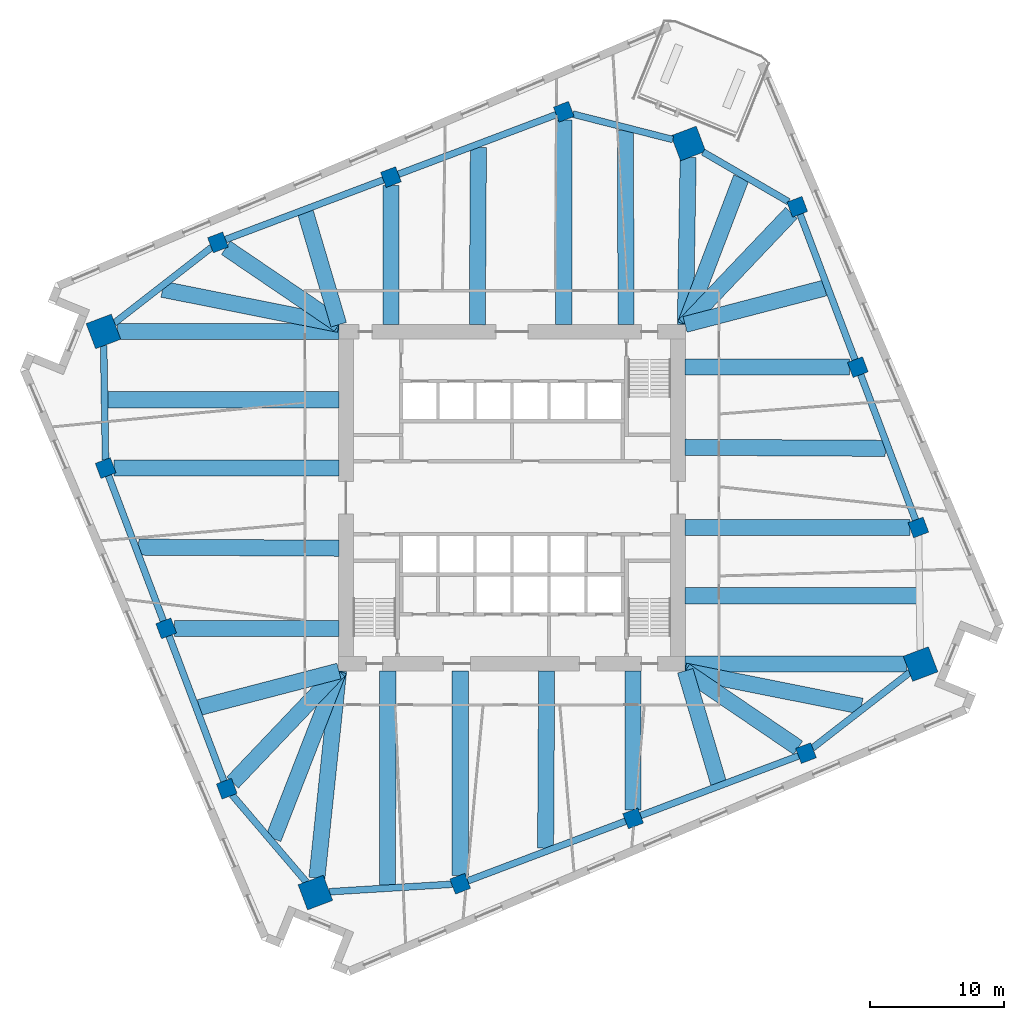
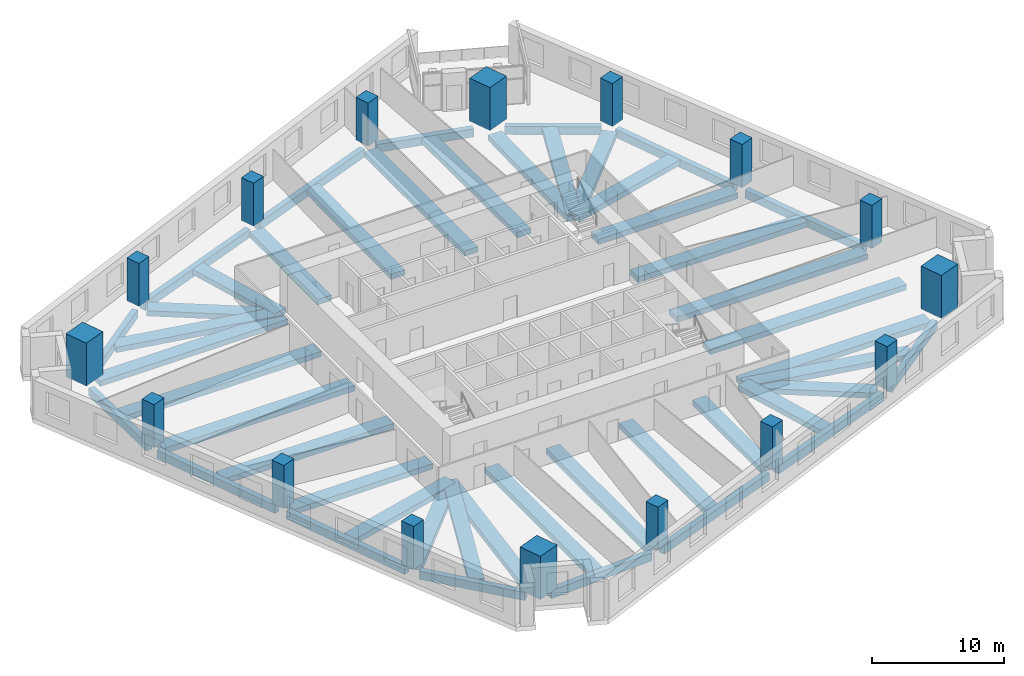
# One storey, part 1 of 12: 47 beams, 16 columns.
"""IFC4 building model written with IfcOpenShell, lengths in metres."""

from ifc_helpers import new_model, si_unit, direction, frame, origin, origin_2d, place, context, subcontext, project, spatial, rectangle, extrude, material, material_profile, profile_set, type_object, element, save


model = new_model("IFC4")

# Units and contexts
model_context = context("Model", 3, precision=1e-05, world=origin(), true_north=direction((0.0, 1.0)))
body_context = subcontext(model_context, "Body", "Model", "MODEL_VIEW")
ifc_project = project(units=[si_unit("LENGTHUNIT", "METRE"), si_unit("AREAUNIT", "SQUARE_METRE"), si_unit("VOLUMEUNIT", "CUBIC_METRE"), si_unit("PLANEANGLEUNIT", "RADIAN"), si_unit("MASSUNIT", "GRAM", prefix="KILO")], contexts=[model_context])

# Site, building, storey
site_placement = place(None, origin())
site = spatial("IfcSite", under=ifc_project, at=site_placement, CompositionType="ELEMENT")
building_placement = place(site_placement, origin())
building = spatial("IfcBuilding", under=site, at=building_placement, Name="Dilmun Exchange Tower", CompositionType="ELEMENT")
storey_placement = place(building_placement, frame((0.0, 0.0, 114.10009765625)))
storey = spatial("IfcBuildingStorey", under=building, at=storey_placement, Name="L26", CompositionType="ELEMENT", Elevation=114.10009765625)

# Columns
ifc_material_1 = material(Name="Concrete C70/85", Category="concrete")
ifc_material_profile_1 = material_profile(ifc_material_1, rectangle(XDim=2.0, YDim=2.0, at=origin_2d()), Name="2000 x 2000")
ifc_profile_set_1 = profile_set([ifc_material_profile_1], Name="Concrete C70/85")
column_type_1 = type_object("IfcColumnType", Name="RC mega column 2000 x 2000 C70/85", PredefinedType="COLUMN", material=ifc_profile_set_1)
for number, where, z_axis, x_axis, name in (
    (1, (13.1220703125, 26.35400390625, 0.0), (0.0, 0.0, 1.0), (0.935491525991, 0.353349125935, 0.0), "Mega column M1"),
    (2, (-30.39404296875, 12.37109375, 0.0), (0.0, 0.0, 1.0), (0.935491525991, 0.353349125935, 0.0), "Mega column M2"),
    (3, (-14.6259765625, -29.3759765625, 0.0), (0.0, 0.0, 1.0), (0.935491525991, 0.353349125935, 0.0), "Mega column M3"),
    (4, (30.39404296875, -12.37109375, 0.0), (0.0, 0.0, 1.0), (0.935491525991, 0.353349125935, 0.0), "Mega column M4"),
):
    element("IfcColumn", number, at=place(storey_placement, frame(where, z_axis=z_axis, x_axis=x_axis)), inside=storey, type_object=column_type_1, Name=name, PredefinedType="COLUMN", context=body_context, shape_type="SweptSolid", body=[
        extrude(rectangle(XDim=2.0, YDim=2.0, at=origin_2d()), origin(), (0.0, 0.0, 1.0), 4.0),
    ])
ifc_material_profile_2 = material_profile(ifc_material_1, rectangle(XDim=1.199951171875, YDim=1.199951171875, at=origin_2d()), Name="1200 x 1200")
ifc_profile_set_2 = profile_set([ifc_material_profile_2], Name="Concrete C70/85")
column_type_2 = type_object("IfcColumnType", Name="RC ring column 1200 x 1200 C70/85", PredefinedType="COLUMN", material=ifc_profile_set_2)
for number, where, z_axis, x_axis, name in (
    (5, (3.85302734375, 28.714111328125, 0.0), (0.0, 0.0, 1.0), (0.935491525991, 0.353349125935, 0.0), "Ring column R01"),
    (6, (-9.010009765625, 23.85498046875, 0.0), (0.0, 0.0, 1.0), (0.935491525991, 0.353349125935, 0.0), "Ring column R02"),
    (7, (-21.873046875, 18.99609375, 0.0), (0.0, 0.0, 1.0), (0.935491525991, 0.353349125935, 0.0), "Ring column R03"),
    (8, (-30.23095703125, 2.2099609375, 0.0), (0.0, 0.0, 1.0), (0.935491525991, 0.353349125935, 0.0), "Ring column R04"),
    (9, (-25.72607421875, -9.717041015625, 0.0), (0.0, 0.0, 1.0), (0.935491525991, 0.353349125935, 0.0), "Ring column R05"),
    (10, (-21.220947265625, -21.64501953125, 0.0), (0.0, 0.0, 1.0), (0.935491525991, 0.353349125935, 0.0), "Ring column R06"),
    (11, (-3.85302734375, -28.714111328125, 0.0), (0.0, 0.0, 1.0), (0.935491525991, 0.353349125935, 0.0), "Ring column R07"),
    (12, (9.010009765625, -23.85498046875, 0.0), (0.0, 0.0, 1.0), (0.935491525991, 0.353349125935, 0.0), "Ring column R08"),
    (13, (21.873046875, -18.99609375, 0.0), (0.0, 0.0, 1.0), (0.935491525991, 0.353349125935, 0.0), "Ring column R09"),
    (14, (30.23095703125, -2.2099609375, 0.0), (0.0, 0.0, 1.0), (0.935491525991, 0.353349125935, 0.0), "Ring column R10"),
    (15, (25.72607421875, 9.717041015625, 0.0), (0.0, 0.0, 1.0), (0.935491525991, 0.353349125935, 0.0), "Ring column R11"),
    (16, (21.220947265625, 21.64501953125, 0.0), (0.0, 0.0, 1.0), (0.935491525991, 0.353349125935, 0.0), "Ring column R12"),
):
    element("IfcColumn", number, at=place(storey_placement, frame(where, z_axis=z_axis, x_axis=x_axis)), inside=storey, type_object=column_type_2, Name=name, PredefinedType="COLUMN", context=body_context, shape_type="SweptSolid", body=[
        extrude(rectangle(XDim=1.199951171875, YDim=1.199951171875, at=origin_2d()), origin(), (0.0, 0.0, 1.0), 4.0),
    ])

# Beams
ifc_material_2 = material(Name="Concrete C40/50", Category="concrete")
ifc_material_profile_3 = material_profile(ifc_material_2, rectangle(XDim=1.199951171875, YDim=0.5, at=origin_2d()), Name="1200 x 500")
ifc_profile_set_3 = profile_set([ifc_material_profile_3], Name="Concrete C40/50")
beam_type_1 = type_object("IfcBeamType", Name="RC band beam 1200 x 500 C40/50", PredefinedType="BEAM", material=ifc_profile_set_3)
beam_1_placement = place(storey_placement, frame((13.104736328125, 25.305419921875, -0.77001953125), z_axis=(-0.016493249431, -0.99986397711, 0.0), x_axis=(0.99986397711, -0.016493249431, 0.0)))
element("IfcBeam", 17, at=beam_1_placement, inside=storey, type_object=beam_type_1, Name="Band beam 1", PredefinedType="BEAM", context=body_context, shape_type="SweptSolid", body=[
    extrude(rectangle(XDim=1.199951171875, YDim=0.5, at=origin_2d()), origin(), (0.0, 0.0, 1.0), 12.43408203125),
])
beam_2_placement = place(storey_placement, frame((3.85302734375, 28.099609375, -0.77001953125), z_axis=(0.0, -1.0, 0.0), x_axis=(1.0, 0.0, 0.0)))
element("IfcBeam", 18, at=beam_2_placement, inside=storey, type_object=beam_type_1, Name="Band beam 2", PredefinedType="BEAM", context=body_context, shape_type="SweptSolid", body=[
    extrude(rectangle(XDim=1.199951171875, YDim=0.5, at=origin_2d()), origin(), (0.0, 0.0, 1.0), 15.2265625),
])
beam_3_placement = place(storey_placement, frame((-9.010009765625, 23.240478515625, -0.77001953125), z_axis=(0.0, -1.0, 0.0), x_axis=(1.0, 0.0, 0.0)))
element("IfcBeam", 19, at=beam_3_placement, inside=storey, type_object=beam_type_1, Name="Band beam 3", PredefinedType="BEAM", context=body_context, shape_type="SweptSolid", body=[
    extrude(rectangle(XDim=1.199951171875, YDim=0.5, at=origin_2d()), origin(), (0.0, 0.0, 1.0), 10.367431640625),
])
beam_4_placement = place(storey_placement, frame((-21.28857421875, 18.59912109375, -0.77001953125), z_axis=(0.827157308771, -0.561970449888, 0.0), x_axis=(0.561970449888, 0.827157308771, 0.0)))
element("IfcBeam", 20, at=beam_4_placement, inside=storey, type_object=beam_type_1, Name="Band beam 4", PredefinedType="BEAM", context=body_context, shape_type="SweptSolid", body=[
    extrude(rectangle(XDim=1.199951171875, YDim=0.5, at=origin_2d()), origin(), (0.0, 0.0, 1.0), 10.16845703125),
])
beam_5_placement = place(storey_placement, frame((-29.35205078125, 12.37109375, -0.77001953125), z_axis=(1.0, 0.0, 0.0), x_axis=(0.0, 1.0, 0.0)))
element("IfcBeam", 21, at=beam_5_placement, inside=storey, type_object=beam_type_1, Name="Band beam 5", PredefinedType="BEAM", context=body_context, shape_type="SweptSolid", body=[
    extrude(rectangle(XDim=1.199951171875, YDim=0.5, at=origin_2d()), origin(), (0.0, 0.0, 1.0), 16.47900390625),
])
beam_6_placement = place(storey_placement, frame((-29.61669921875, 2.2099609375, -0.77001953125), z_axis=(1.0, 0.0, 0.0), x_axis=(0.0, 1.0, 0.0)))
element("IfcBeam", 22, at=beam_6_placement, inside=storey, type_object=beam_type_1, Name="Band beam 6", PredefinedType="BEAM", context=body_context, shape_type="SweptSolid", body=[
    extrude(rectangle(XDim=1.199951171875, YDim=0.5, at=origin_2d()), origin(), (0.0, 0.0, 1.0), 16.74365234375),
])
beam_7_placement = place(storey_placement, frame((-25.111572265625, -9.717041015625, -0.77001953125), z_axis=(1.0, 0.0, 0.0), x_axis=(0.0, 1.0, 0.0)))
element("IfcBeam", 23, at=beam_7_placement, inside=storey, type_object=beam_type_1, Name="Band beam 7", PredefinedType="BEAM", context=body_context, shape_type="SweptSolid", body=[
    extrude(rectangle(XDim=1.199951171875, YDim=0.5, at=origin_2d()), origin(), (0.0, 0.0, 1.0), 12.238525390625),
])
beam_8_placement = place(storey_placement, frame((-20.780517578125, -21.181884765625, -0.77001953125), z_axis=(0.689333244672, 0.724444392476, 0.0), x_axis=(-0.724444392476, 0.689333244672, 0.0)))
element("IfcBeam", 24, at=beam_8_placement, inside=storey, type_object=beam_type_1, Name="Band beam 8", PredefinedType="BEAM", context=body_context, shape_type="SweptSolid", body=[
    extrude(rectangle(XDim=1.199951171875, YDim=0.5, at=origin_2d()), origin(), (0.0, 0.0, 1.0), 11.459228515625),
])
beam_9_placement = place(storey_placement, frame((-14.51220703125, -28.289794921875, -0.77001953125), z_axis=(0.104185478447, 0.994557884731, 0.0), x_axis=(-0.994557884731, 0.104185478447, 0.0)))
element("IfcBeam", 25, at=beam_9_placement, inside=storey, type_object=beam_type_1, Name="Band beam 9", PredefinedType="BEAM", context=body_context, shape_type="SweptSolid", body=[
    extrude(rectangle(XDim=1.199951171875, YDim=0.5, at=origin_2d()), origin(), (0.0, 0.0, 1.0), 15.501220703125),
])
beam_10_placement = place(storey_placement, frame((-3.85302734375, -28.099609375, -0.77001953125), z_axis=(0.0, 1.0, 0.0), x_axis=(-1.0, 0.0, 0.0)))
element("IfcBeam", 26, at=beam_10_placement, inside=storey, type_object=beam_type_1, Name="Band beam 10", PredefinedType="BEAM", context=body_context, shape_type="SweptSolid", body=[
    extrude(rectangle(XDim=1.199951171875, YDim=0.5, at=origin_2d()), origin(), (0.0, 0.0, 1.0), 15.2265625),
])
beam_11_placement = place(storey_placement, frame((9.010009765625, -23.240478515625, -0.77001953125), z_axis=(0.0, 1.0, 0.0), x_axis=(-1.0, 0.0, 0.0)))
element("IfcBeam", 27, at=beam_11_placement, inside=storey, type_object=beam_type_1, Name="Band beam 11", PredefinedType="BEAM", context=body_context, shape_type="SweptSolid", body=[
    extrude(rectangle(XDim=1.199951171875, YDim=0.5, at=origin_2d()), origin(), (0.0, 0.0, 1.0), 10.367431640625),
])
beam_12_placement = place(storey_placement, frame((21.28857421875, -18.59912109375, -0.77001953125), z_axis=(-0.827157308771, 0.561970449888, 0.0), x_axis=(-0.561970449888, -0.827157308771, 0.0)))
element("IfcBeam", 28, at=beam_12_placement, inside=storey, type_object=beam_type_1, Name="Band beam 12", PredefinedType="BEAM", context=body_context, shape_type="SweptSolid", body=[
    extrude(rectangle(XDim=1.199951171875, YDim=0.5, at=origin_2d()), origin(), (0.0, 0.0, 1.0), 10.16845703125),
])
beam_13_placement = place(storey_placement, frame((29.35205078125, -12.37109375, -0.77001953125), z_axis=(-1.0, 0.0, 0.0), x_axis=(0.0, -1.0, 0.0)))
element("IfcBeam", 29, at=beam_13_placement, inside=storey, type_object=beam_type_1, Name="Band beam 13", PredefinedType="BEAM", context=body_context, shape_type="SweptSolid", body=[
    extrude(rectangle(XDim=1.199951171875, YDim=0.5, at=origin_2d()), origin(), (0.0, 0.0, 1.0), 16.47900390625),
])
beam_14_placement = place(storey_placement, frame((29.61669921875, -2.2099609375, -0.77001953125), z_axis=(-1.0, 0.0, 0.0), x_axis=(0.0, -1.0, 0.0)))
element("IfcBeam", 30, at=beam_14_placement, inside=storey, type_object=beam_type_1, Name="Band beam 14", PredefinedType="BEAM", context=body_context, shape_type="SweptSolid", body=[
    extrude(rectangle(XDim=1.199951171875, YDim=0.5, at=origin_2d()), origin(), (0.0, 0.0, 1.0), 16.74365234375),
])
beam_15_placement = place(storey_placement, frame((25.111572265625, 9.717041015625, -0.77001953125), z_axis=(-1.0, 0.0, 0.0), x_axis=(0.0, -1.0, 0.0)))
element("IfcBeam", 31, at=beam_15_placement, inside=storey, type_object=beam_type_1, Name="Band beam 15", PredefinedType="BEAM", context=body_context, shape_type="SweptSolid", body=[
    extrude(rectangle(XDim=1.199951171875, YDim=0.5, at=origin_2d()), origin(), (0.0, 0.0, 1.0), 12.238525390625),
])
beam_16_placement = place(storey_placement, frame((20.780517578125, 21.181884765625, -0.77001953125), z_axis=(-0.689333244672, -0.724444392476, 0.0), x_axis=(0.724444392476, -0.689333244672, 0.0)))
element("IfcBeam", 32, at=beam_16_placement, inside=storey, type_object=beam_type_1, Name="Band beam 16", PredefinedType="BEAM", context=body_context, shape_type="SweptSolid", body=[
    extrude(rectangle(XDim=1.199951171875, YDim=0.5, at=origin_2d()), origin(), (0.0, 0.0, 1.0), 11.459228515625),
])
beam_17_placement = place(storey_placement, frame((8.4326171875, 27.31787109375, -0.670166015625), z_axis=(0.003802832253, -0.999992769207, 0.0), x_axis=(0.999992769207, 0.003802832253, 0.0)))
element("IfcBeam", 33, at=beam_17_placement, inside=storey, type_object=beam_type_1, Name="Band beam 17", PredefinedType="BEAM", context=body_context, shape_type="SweptSolid", body=[
    extrude(rectangle(XDim=1.199951171875, YDim=0.5, at=origin_2d()), origin(), (0.0, 0.0, 1.0), 14.44482421875),
])
beam_18_placement = place(storey_placement, frame((-2.499755859375, 26.075927734375, -0.670166015625), z_axis=(-0.005972637047, -0.999982163644, 0.0), x_axis=(0.999982163644, -0.005972637047, 0.0)))
element("IfcBeam", 34, at=beam_18_placement, inside=storey, type_object=beam_type_1, Name="Band beam 18", PredefinedType="BEAM", context=body_context, shape_type="SweptSolid", body=[
    extrude(rectangle(XDim=1.199951171875, YDim=0.5, at=origin_2d()), origin(), (0.0, 0.0, 1.0), 13.203125),
])
beam_19_placement = place(storey_placement, frame((-15.36279296875, 21.216796875, -0.670166015625), z_axis=(0.283932601838, -0.958844240538, 0.0), x_axis=(0.958844240538, 0.283932601838, 0.0)))
element("IfcBeam", 35, at=beam_19_placement, inside=storey, type_object=beam_type_1, Name="Band beam 19", PredefinedType="BEAM", context=body_context, shape_type="SweptSolid", body=[
    extrude(rectangle(XDim=1.199951171875, YDim=0.5, at=origin_2d()), origin(), (0.0, 0.0, 1.0), 8.700927734375),
])
beam_20_placement = place(storey_placement, frame((-25.99658203125, 15.50732421875, -0.670166015625), z_axis=(0.980746640289, -0.19528447855, 0.0), x_axis=(0.19528447855, 0.980746640289, 0.0)))
element("IfcBeam", 36, at=beam_20_placement, inside=storey, type_object=beam_type_1, Name="Band beam 20", PredefinedType="BEAM", context=body_context, shape_type="SweptSolid", body=[
    extrude(rectangle(XDim=1.199951171875, YDim=0.5, at=origin_2d()), origin(), (0.0, 0.0, 1.0), 13.380615234375),
])
beam_21_placement = place(storey_placement, frame((-30.089599609375, 7.294189453125, -0.670166015625), z_axis=(0.999999977378, -0.000212708627, 0.0), x_axis=(0.000212708627, 0.999999977378, 0.0)))
element("IfcBeam", 37, at=beam_21_placement, inside=storey, type_object=beam_type_1, Name="Band beam 21", PredefinedType="BEAM", context=body_context, shape_type="SweptSolid", body=[
    extrude(rectangle(XDim=1.199951171875, YDim=0.5, at=origin_2d()), origin(), (0.0, 0.0, 1.0), 17.216552734375),
])
beam_22_placement = place(storey_placement, frame((-27.77001953125, -3.6748046875, -0.670166015625), z_axis=(0.999986076233, -0.005277057861, 0.0), x_axis=(0.005277057861, 0.999986076233, 0.0)))
element("IfcBeam", 38, at=beam_22_placement, inside=storey, type_object=beam_type_1, Name="Band beam 22", PredefinedType="BEAM", context=body_context, shape_type="SweptSolid", body=[
    extrude(rectangle(XDim=1.199951171875, YDim=0.5, at=origin_2d()), origin(), (0.0, 0.0, 1.0), 14.897216796875),
])
beam_23_placement = place(storey_placement, frame((-23.264892578125, -15.602294921875, -0.670166015625), z_axis=(0.967651305888, 0.252291399404, 0.0), x_axis=(-0.252291399404, 0.967651305888, 0.0)))
element("IfcBeam", 39, at=beam_23_placement, inside=storey, type_object=beam_type_1, Name="Band beam 23", PredefinedType="BEAM", context=body_context, shape_type="SweptSolid", body=[
    extrude(rectangle(XDim=1.199951171875, YDim=0.5, at=origin_2d()), origin(), (0.0, 0.0, 1.0), 10.738525390625),
])
beam_24_placement = place(storey_placement, frame((-17.75390625, -25.36572265625, -0.670166015625), z_axis=(0.362868113779, 0.931840507814, 0.0), x_axis=(-0.931840507814, 0.362868113779, 0.0)))
element("IfcBeam", 40, at=beam_24_placement, inside=storey, type_object=beam_type_1, Name="Band beam 24", PredefinedType="BEAM", context=body_context, shape_type="SweptSolid", body=[
    extrude(rectangle(XDim=1.199951171875, YDim=0.5, at=origin_2d()), origin(), (0.0, 0.0, 1.0), 13.404296875),
])
beam_25_placement = place(storey_placement, frame((-9.253173828125, -28.822509765625, -0.670166015625), z_axis=(0.000857199397, 0.999999632605, 0.0), x_axis=(-0.999999632605, 0.000857199397, 0.0)))
element("IfcBeam", 41, at=beam_25_placement, inside=storey, type_object=beam_type_1, Name="Band beam 25", PredefinedType="BEAM", context=body_context, shape_type="SweptSolid", body=[
    extrude(rectangle(XDim=1.199951171875, YDim=0.5, at=origin_2d()), origin(), (0.0, 0.0, 1.0), 15.949462890625),
])
beam_26_placement = place(storey_placement, frame((2.499755859375, -26.075927734375, -0.670166015625), z_axis=(0.005972637047, 0.999982163644, 0.0), x_axis=(-0.999982163644, 0.005972637047, 0.0)))
element("IfcBeam", 42, at=beam_26_placement, inside=storey, type_object=beam_type_1, Name="Band beam 26", PredefinedType="BEAM", context=body_context, shape_type="SweptSolid", body=[
    extrude(rectangle(XDim=1.199951171875, YDim=0.5, at=origin_2d()), origin(), (0.0, 0.0, 1.0), 13.203125),
])
beam_27_placement = place(storey_placement, frame((15.36279296875, -21.216796875, -0.670166015625), z_axis=(-0.283932601838, 0.958844240538, 0.0), x_axis=(-0.958844240538, -0.283932601838, 0.0)))
element("IfcBeam", 43, at=beam_27_placement, inside=storey, type_object=beam_type_1, Name="Band beam 27", PredefinedType="BEAM", context=body_context, shape_type="SweptSolid", body=[
    extrude(rectangle(XDim=1.199951171875, YDim=0.5, at=origin_2d()), origin(), (0.0, 0.0, 1.0), 8.700927734375),
])
beam_28_placement = place(storey_placement, frame((25.99658203125, -15.50732421875, -0.670166015625), z_axis=(-0.980746640289, 0.19528447855, 0.0), x_axis=(-0.19528447855, -0.980746640289, 0.0)))
element("IfcBeam", 44, at=beam_28_placement, inside=storey, type_object=beam_type_1, Name="Band beam 28", PredefinedType="BEAM", context=body_context, shape_type="SweptSolid", body=[
    extrude(rectangle(XDim=1.199951171875, YDim=0.5, at=origin_2d()), origin(), (0.0, 0.0, 1.0), 13.380615234375),
])
beam_29_placement = place(storey_placement, frame((30.089599609375, -7.294189453125, -0.670166015625), z_axis=(-0.999999977378, 0.000212708627, 0.0), x_axis=(-0.000212708627, -0.999999977378, 0.0)))
element("IfcBeam", 45, at=beam_29_placement, inside=storey, type_object=beam_type_1, Name="Band beam 29", PredefinedType="BEAM", context=body_context, shape_type="SweptSolid", body=[
    extrude(rectangle(XDim=1.199951171875, YDim=0.5, at=origin_2d()), origin(), (0.0, 0.0, 1.0), 17.216552734375),
])
beam_30_placement = place(storey_placement, frame((27.77001953125, 3.6748046875, -0.670166015625), z_axis=(-0.999986076233, 0.005277057861, 0.0), x_axis=(-0.005277057861, -0.999986076233, 0.0)))
element("IfcBeam", 46, at=beam_30_placement, inside=storey, type_object=beam_type_1, Name="Band beam 30", PredefinedType="BEAM", context=body_context, shape_type="SweptSolid", body=[
    extrude(rectangle(XDim=1.199951171875, YDim=0.5, at=origin_2d()), origin(), (0.0, 0.0, 1.0), 14.897216796875),
])
beam_31_placement = place(storey_placement, frame((23.264892578125, 15.602294921875, -0.670166015625), z_axis=(-0.967651305888, -0.252291399404, 0.0), x_axis=(0.252291399404, -0.967651305888, 0.0)))
element("IfcBeam", 47, at=beam_31_placement, inside=storey, type_object=beam_type_1, Name="Band beam 31", PredefinedType="BEAM", context=body_context, shape_type="SweptSolid", body=[
    extrude(rectangle(XDim=1.199951171875, YDim=0.5, at=origin_2d()), origin(), (0.0, 0.0, 1.0), 10.738525390625),
])
beam_32_placement = place(storey_placement, frame((17.059326171875, 23.806640625, -0.670166015625), z_axis=(-0.356325045493, -0.934362061491, 0.0), x_axis=(0.934362061491, -0.356325045493, 0.0)))
element("IfcBeam", 48, at=beam_32_placement, inside=storey, type_object=beam_type_1, Name="Band beam 32", PredefinedType="BEAM", context=body_context, shape_type="SweptSolid", body=[
    extrude(rectangle(XDim=1.199951171875, YDim=0.5, at=origin_2d()), origin(), (0.0, 0.0, 1.0), 11.699951171875),
])
ifc_material_profile_4 = material_profile(ifc_material_2, rectangle(XDim=0.5, YDim=0.75, at=origin_2d()), Name="500 x 750")
ifc_profile_set_4 = profile_set([ifc_material_profile_4], Name="Concrete C40/50")
beam_type_2 = type_object("IfcBeamType", Name="RC ring beam 500 x 750 C40/50", PredefinedType="SPANDREL", material=ifc_profile_set_4)
beam_33_placement = place(storey_placement, frame((11.965576171875, 26.6484375, -0.795166015625), z_axis=(-0.969078622485, 0.246752149825, 0.0), x_axis=(-0.246752149825, -0.969078622485, 0.0)))
element("IfcBeam", 49, at=beam_33_placement, inside=storey, type_object=beam_type_2, Name="Ring beam 1", PredefinedType="SPANDREL", context=body_context, shape_type="SweptSolid", body=[
    extrude(rectangle(XDim=0.5, YDim=0.75, at=origin_2d()), origin(), (0.0, 0.0, 1.0), 7.666015625),
])
for number, where, z_axis, x_axis, name in (
    (50, (3.31689453125, 28.511474609375, -0.795166015625), (-0.935485896268, -0.353364030264, 0.0), (0.353364030264, -0.935485896268, 0.0), "Ring beam 2"),
    (51, (-9.5458984375, 23.652587890625, -0.795166015625), (-0.935479493126, -0.353380981294, 0.0), (0.353380981294, -0.935479493126, 0.0), "Ring beam 3"),
):
    element("IfcBeam", number, at=place(storey_placement, frame(where, z_axis=z_axis, x_axis=x_axis)), inside=storey, type_object=beam_type_2, Name=name, PredefinedType="SPANDREL", context=body_context, shape_type="SweptSolid", body=[
        extrude(rectangle(XDim=0.5, YDim=0.75, at=origin_2d()), origin(), (0.0, 0.0, 1.0), 12.604248046875),
    ])
beam_34_placement = place(storey_placement, frame((-22.347412109375, 18.627197265625, -0.795166015625), z_axis=(-0.789461122688, -0.613800566767, 0.0), x_axis=(0.613800566767, -0.789461122688, 0.0)))
element("IfcBeam", 52, at=beam_34_placement, inside=storey, type_object=beam_type_2, Name="Ring beam 4", PredefinedType="SPANDREL", context=body_context, shape_type="SweptSolid", body=[
    extrude(rectangle(XDim=0.5, YDim=0.75, at=origin_2d()), origin(), (0.0, 0.0, 1.0), 9.1728515625),
])
beam_35_placement = place(storey_placement, frame((-30.37744140625, 11.33544921875, -0.795166015625), z_axis=(0.016054357527, -0.999871120497, 0.0), x_axis=(0.999871120497, 0.016054357527, 0.0)))
element("IfcBeam", 53, at=beam_35_placement, inside=storey, type_object=beam_type_2, Name="Ring beam 5", PredefinedType="SPANDREL", context=body_context, shape_type="SweptSolid", body=[
    extrude(rectangle(XDim=0.5, YDim=0.75, at=origin_2d()), origin(), (0.0, 0.0, 1.0), 8.515869140625),
])
beam_36_placement = place(storey_placement, frame((-30.028564453125, 1.674072265625, -0.795166015625), z_axis=(0.353349831573, -0.935491259461, 0.0), x_axis=(0.935491259461, 0.353349831573, 0.0)))
element("IfcBeam", 54, at=beam_36_placement, inside=storey, type_object=beam_type_2, Name="Ring beam 6", PredefinedType="SPANDREL", context=body_context, shape_type="SweptSolid", body=[
    extrude(rectangle(XDim=0.5, YDim=0.75, at=origin_2d()), origin(), (0.0, 0.0, 1.0), 11.603515625),
])
beam_37_placement = place(storey_placement, frame((-25.5234375, -10.2529296875, -0.795166015625), z_axis=(0.353303601311, -0.935508720056, 0.0), x_axis=(0.935508720056, 0.353303601311, 0.0)))
element("IfcBeam", 55, at=beam_37_placement, inside=storey, type_object=beam_type_2, Name="Ring beam 7", PredefinedType="SPANDREL", context=body_context, shape_type="SweptSolid", body=[
    extrude(rectangle(XDim=0.5, YDim=0.75, at=origin_2d()), origin(), (0.0, 0.0, 1.0), 11.604248046875),
])
beam_38_placement = place(storey_placement, frame((-20.82470703125, -22.109619140625, -0.795166015625), z_axis=(0.64900225023, -0.76078648726, 0.0), x_axis=(0.76078648726, 0.64900225023, 0.0)))
element("IfcBeam", 56, at=beam_38_placement, inside=storey, type_object=beam_type_2, Name="Ring beam 8", PredefinedType="SPANDREL", context=body_context, shape_type="SweptSolid", body=[
    extrude(rectangle(XDim=0.5, YDim=0.75, at=origin_2d()), origin(), (0.0, 0.0, 1.0), 8.515625),
])
beam_39_placement = place(storey_placement, frame((-13.608154296875, -29.3134765625, -0.795166015625), z_axis=(0.998117890072, 0.061324363166, 0.0), x_axis=(-0.061324363166, 0.998117890072, 0.0)))
element("IfcBeam", 57, at=beam_39_placement, inside=storey, type_object=beam_type_2, Name="Ring beam 9", PredefinedType="SPANDREL", context=body_context, shape_type="SweptSolid", body=[
    extrude(rectangle(XDim=0.5, YDim=0.75, at=origin_2d()), origin(), (0.0, 0.0, 1.0), 9.172607421875),
])
for number, where, z_axis, x_axis, name in (
    (58, (-3.31689453125, -28.511474609375, -0.795166015625), (0.935485896268, 0.353364030264, 0.0), (-0.353364030264, 0.935485896268, 0.0), "Ring beam 10"),
    (59, (9.5458984375, -23.652587890625, -0.795166015625), (0.935479493126, 0.353380981294, 0.0), (-0.353380981294, 0.935479493126, 0.0), "Ring beam 11"),
):
    element("IfcBeam", number, at=place(storey_placement, frame(where, z_axis=z_axis, x_axis=x_axis)), inside=storey, type_object=beam_type_2, Name=name, PredefinedType="SPANDREL", context=body_context, shape_type="SweptSolid", body=[
        extrude(rectangle(XDim=0.5, YDim=0.75, at=origin_2d()), origin(), (0.0, 0.0, 1.0), 12.604248046875),
    ])
beam_40_placement = place(storey_placement, frame((22.347412109375, -18.627197265625, -0.795166015625), z_axis=(0.789461122688, 0.613800566767, 0.0), x_axis=(-0.613800566767, 0.789461122688, 0.0)))
element("IfcBeam", 60, at=beam_40_placement, inside=storey, type_object=beam_type_2, Name="Ring beam 12", PredefinedType="SPANDREL", context=body_context, shape_type="SweptSolid", body=[
    extrude(rectangle(XDim=0.5, YDim=0.75, at=origin_2d()), origin(), (0.0, 0.0, 1.0), 9.1728515625),
])
beam_41_placement = place(storey_placement, frame((30.028564453125, -1.674072265625, -0.795166015625), z_axis=(-0.353349831573, 0.935491259461, 0.0), x_axis=(-0.935491259461, -0.353349831573, 0.0)))
element("IfcBeam", 61, at=beam_41_placement, inside=storey, type_object=beam_type_2, Name="Ring beam 14", PredefinedType="SPANDREL", context=body_context, shape_type="SweptSolid", body=[
    extrude(rectangle(XDim=0.5, YDim=0.75, at=origin_2d()), origin(), (0.0, 0.0, 1.0), 11.603515625),
])
beam_42_placement = place(storey_placement, frame((25.5234375, 10.2529296875, -0.795166015625), z_axis=(-0.353303601311, 0.935508720056, 0.0), x_axis=(-0.935508720056, -0.353303601311, 0.0)))
element("IfcBeam", 62, at=beam_42_placement, inside=storey, type_object=beam_type_2, Name="Ring beam 15", PredefinedType="SPANDREL", context=body_context, shape_type="SweptSolid", body=[
    extrude(rectangle(XDim=0.5, YDim=0.75, at=origin_2d()), origin(), (0.0, 0.0, 1.0), 11.604248046875),
])
beam_43_placement = place(storey_placement, frame((20.57568359375, 22.020263671875, -0.795166015625), z_axis=(-0.864503499359, 0.50262679952, 0.0), x_axis=(-0.50262679952, -0.864503499359, 0.0)))
element("IfcBeam", 63, at=beam_43_placement, inside=storey, type_object=beam_type_2, Name="Ring beam 16", PredefinedType="SPANDREL", context=body_context, shape_type="SweptSolid", body=[
    extrude(rectangle(XDim=0.5, YDim=0.75, at=origin_2d()), origin(), (0.0, 0.0, 1.0), 7.35986328125),
])

save(model, "model.ifc")
